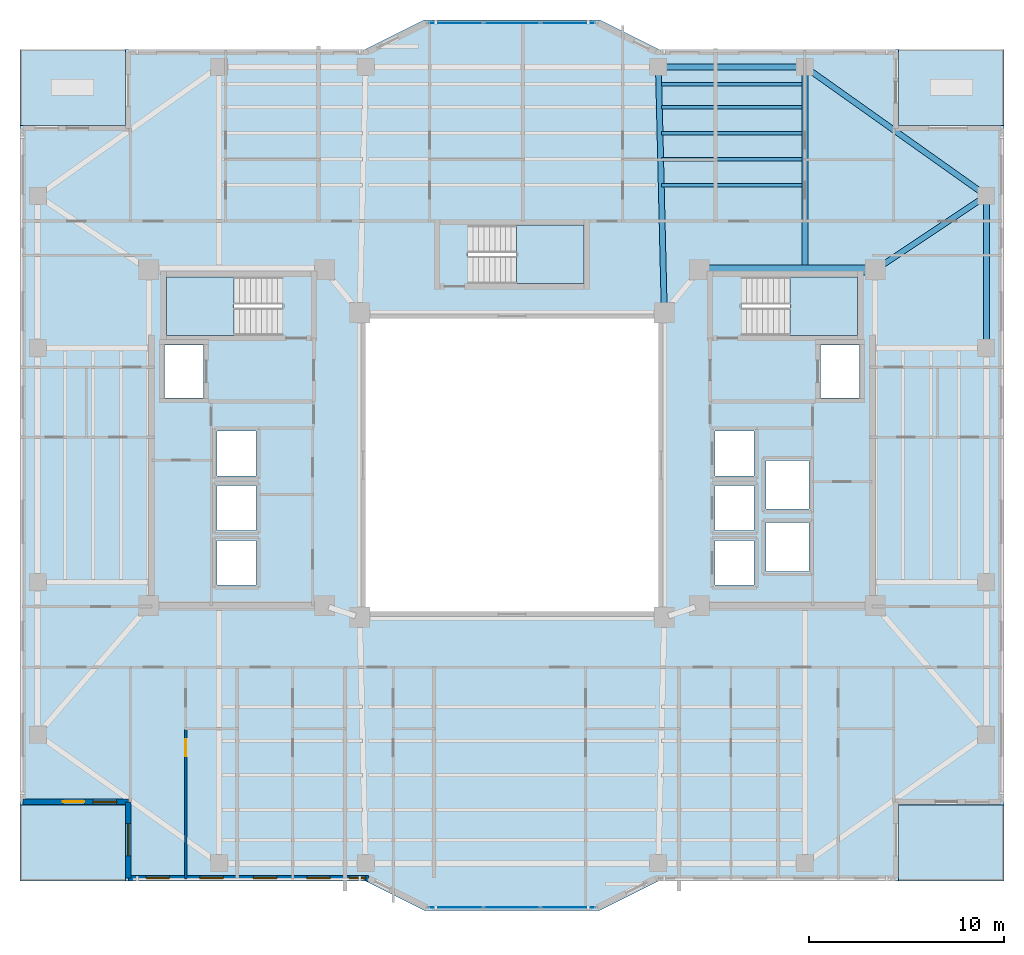
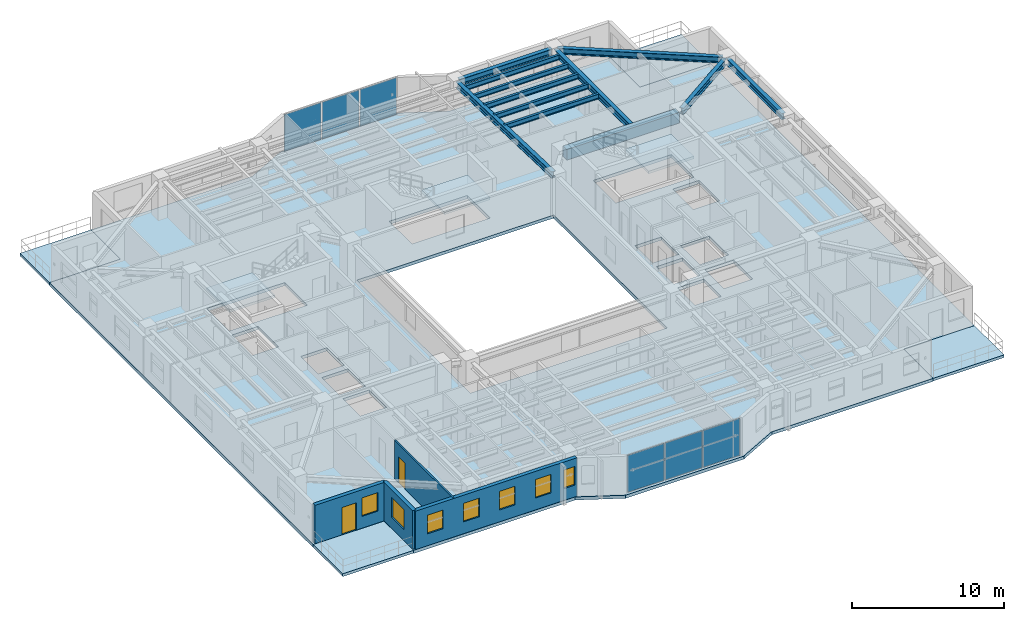
# One storey, part 5 of 17: 12 beams, 8 slabs, 7 windows, 6 plates, 4 walls, 2 doors, 9 openings, 5 elements without a shape of their own.
"""IFC4 building model written with IfcOpenShell, lengths in metres."""

from ifc_helpers import new_model, si_unit, direction, frame, frame_2d, origin, origin_2d, place, context, subcontext, project, spatial, polyline, rectangle, i_section, outline, extrude, material, layer, layer_set, material_profile, profile_set, type_object, element, fill, aggregate, save


model = new_model("IFC4")

# Units and contexts
model_context = context("Model", 3, precision=1e-05, world=origin(), true_north=direction((0.0, 1.0)))
body_context = subcontext(model_context, "Body", "Model", "MODEL_VIEW")
ifc_project = project(units=[si_unit("LENGTHUNIT", "METRE"), si_unit("AREAUNIT", "SQUARE_METRE"), si_unit("VOLUMEUNIT", "CUBIC_METRE"), si_unit("PLANEANGLEUNIT", "RADIAN"), si_unit("MASSUNIT", "GRAM", prefix="KILO")], contexts=[model_context])

# Site, building, storey
site_placement = place(None, origin())
site = spatial("IfcSite", under=ifc_project, at=site_placement, CompositionType="ELEMENT")
building_placement = place(site_placement, origin())
building = spatial("IfcBuilding", under=site, at=building_placement, Name="Tarnavaz Court Tower", CompositionType="ELEMENT")
storey_placement = place(building_placement, frame((0.0, 0.0, 132.60009765625)))
storey = spatial("IfcBuildingStorey", under=building, at=storey_placement, Name="L35", CompositionType="ELEMENT", Elevation=132.60009765625)

# Beams
ifc_material_1 = material(Name="Concrete C50/60", Category="concrete")
ifc_material_profile_1 = material_profile(ifc_material_1, rectangle(XDim=0.5, YDim=0.85009765625, at=origin_2d()), Name="RC 500X850")
ifc_profile_set_1 = profile_set([ifc_material_profile_1], Name="Concrete C50/60")
beam_type_1 = type_object("IfcBeamType", Name="BM-CB850", PredefinedType="LINTEL", material=ifc_profile_set_1)
beam_1_placement = place(storey_placement, frame((18.3798828125, 10.0, 2.6748046875), z_axis=(-1.0, 0.0, 0.0), x_axis=(0.0, -1.0, 0.0)))
element("IfcBeam", 1, at=beam_1_placement, inside=storey, type_object=beam_type_1, Name="L35 Beam IN-CE-NO-CE-NI", PredefinedType="LINTEL", context=body_context, shape_type="SweptSolid", body=[
    extrude(rectangle(XDim=0.5, YDim=0.85009765625, at=origin_2d()), origin(), (0.0, 0.0, 1.0), 8.559814453125),
])
ifc_material_2 = material(Name="Steel S355", Category="steel")
ifc_material_profile_2 = material_profile(ifc_material_2, i_section(OverallWidth=0.300048828125, OverallDepth=0.5, WebThickness=0.014404296875, FlangeThickness=0.028076171875, FilletRadius=0.027099609375, at=origin_2d()), Name="HEB 500")
ifc_profile_set_2 = profile_set([ifc_material_profile_2], Name="Steel S355")
beam_type_2 = type_object("IfcBeamType", Name="BM-G-HEB500", PredefinedType="USERDEFINED", material=ifc_profile_set_2)
beam_2_placement = place(storey_placement, frame((7.794921875, 8.02001953125, 2.849853515625), z_axis=(-0.023824748444, 0.999716150395, 0.0), x_axis=(-0.999716150395, -0.023824748444, 0.0)))
element("IfcBeam", 2, at=beam_2_placement, inside=storey, type_object=beam_type_2, Name="L35 Beam RG-03", ObjectType="GIRDER", PredefinedType="USERDEFINED", context=body_context, shape_type="SweptSolid", body=[
    extrude(i_section(OverallWidth=0.300048828125, OverallDepth=0.5, WebThickness=0.014404296875, FlangeThickness=0.028076171875, FilletRadius=0.027099609375, at=origin_2d()), origin(), (0.0, 0.0, 1.0), 12.16357421875),
])
beam_3_placement = place(storey_placement, frame((15.0, 10.0400390625, 2.849853515625), z_axis=(0.0, 1.0, 0.0), x_axis=(-1.0, 0.0, 0.0)))
element("IfcBeam", 3, at=beam_3_placement, inside=storey, type_object=beam_type_2, Name="L35 Beam RG-04", ObjectType="GIRDER", PredefinedType="USERDEFINED", context=body_context, shape_type="SweptSolid", body=[
    extrude(i_section(OverallWidth=0.300048828125, OverallDepth=0.5, WebThickness=0.014404296875, FlangeThickness=0.028076171875, FilletRadius=0.027099609375, at=origin_2d()), origin(), (0.0, 0.0, 1.0), 10.139892578125),
])
beam_4_placement = place(storey_placement, frame((18.783203125, 10.1220703125, 2.849853515625), z_axis=(0.832044435051, 0.554708985056, 0.0), x_axis=(-0.554708985056, 0.832044435051, 0.0)))
element("IfcBeam", 4, at=beam_4_placement, inside=storey, type_object=beam_type_2, Name="L35 Beam RG-12", ObjectType="GIRDER", PredefinedType="USERDEFINED", context=body_context, shape_type="SweptSolid", body=[
    extrude(i_section(OverallWidth=0.300048828125, OverallDepth=0.5, WebThickness=0.014404296875, FlangeThickness=0.028076171875, FilletRadius=0.027099609375, at=origin_2d()), origin(), (0.0, 0.0, 1.0), 6.410400390625),
])
ifc_material_profile_3 = material_profile(ifc_material_2, i_section(OverallWidth=0.179931640625, OverallDepth=0.39990234375, WebThickness=0.008544921875, FlangeThickness=0.013427734375, FilletRadius=0.02099609375, at=origin_2d()), Name="IPE 400")
ifc_profile_set_3 = profile_set([ifc_material_profile_3], Name="Steel S355")
beam_type_3 = type_object("IfcBeamType", Name="BM-J-IPE400", PredefinedType="JOIST", material=ifc_profile_set_3)
for number, where, z_axis, x_axis, name in (
    (5, (7.64990234375, 14.33203125, 2.89990234375), (1.0, 0.0, 0.0), (0.0, 1.0, 0.0), "L35 Beam JN1-3"),
    (6, (7.64990234375, 15.6640625, 2.89990234375), (1.0, 0.0, 0.0), (0.0, 1.0, 0.0), "L35 Beam JN2-3"),
    (7, (7.64990234375, 16.99609375, 2.89990234375), (1.0, 0.0, 0.0), (0.0, 1.0, 0.0), "L35 Beam JN3-3"),
    (8, (7.64990234375, 18.327880859375, 2.89990234375), (1.0, 0.0, 0.0), (0.0, 1.0, 0.0), "L35 Beam JN4-3"),
    (9, (7.64990234375, 19.511962890625, 2.89990234375), (1.0, 0.0, 0.0), (0.0, 1.0, 0.0), "L35 Beam JN5-3"),
):
    element("IfcBeam", number, at=place(storey_placement, frame(where, z_axis=z_axis, x_axis=x_axis)), inside=storey, type_object=beam_type_3, Name=name, PredefinedType="JOIST", context=body_context, shape_type="SweptSolid", body=[
        extrude(i_section(OverallWidth=0.179931640625, OverallDepth=0.39990234375, WebThickness=0.008544921875, FlangeThickness=0.013427734375, FilletRadius=0.02099609375, at=origin_2d()), origin(), (0.0, 0.0, 1.0), 7.2001953125),
    ])
ifc_material_profile_4 = material_profile(ifc_material_2, i_section(OverallWidth=0.300048828125, OverallDepth=0.489990234375, WebThickness=0.011962890625, FlangeThickness=0.02294921875, FilletRadius=0.027099609375, at=origin_2d()), Name="HEA 500")
ifc_profile_set_4 = profile_set([ifc_material_profile_4], Name="Steel S355")
beam_type_4 = type_object("IfcBeamType", Name="BM-SP-HEA500", PredefinedType="SPANDREL", material=ifc_profile_set_4)
beam_5_placement = place(storey_placement, frame((7.719970703125, 20.39990234375, 2.85498046875), z_axis=(1.0, 0.0, 0.0), x_axis=(0.0, 1.0, 0.0)))
element("IfcBeam", 10, at=beam_5_placement, inside=storey, type_object=beam_type_4, Name="L35 Beam PR-PN-3-PN-4", PredefinedType="SPANDREL", context=body_context, shape_type="SweptSolid", body=[
    extrude(i_section(OverallWidth=0.300048828125, OverallDepth=0.489990234375, WebThickness=0.011962890625, FlangeThickness=0.02294921875, FilletRadius=0.027099609375, at=origin_2d()), origin(), (0.0, 0.0, 1.0), 7.06005859375),
])
beam_6_placement = place(storey_placement, frame((24.300048828125, 6.219970703125, 2.85498046875), z_axis=(0.0, 1.0, 0.0), x_axis=(-1.0, 0.0, 0.0)))
element("IfcBeam", 11, at=beam_6_placement, inside=storey, type_object=beam_type_4, Name="L35 Beam PR-PE-3-PE-4", PredefinedType="SPANDREL", context=body_context, shape_type="SweptSolid", body=[
    extrude(i_section(OverallWidth=0.300048828125, OverallDepth=0.489990234375, WebThickness=0.011962890625, FlangeThickness=0.02294921875, FilletRadius=0.027099609375, at=origin_2d()), origin(), (0.0, 0.0, 1.0), 7.360107421875),
])
beam_7_placement = place(storey_placement, frame((15.179443359375, 20.272705078125, 2.85498046875), z_axis=(0.815502059396, -0.57875417158, 0.0), x_axis=(0.57875417158, 0.815502059396, 0.0)))
element("IfcBeam", 12, at=beam_7_placement, inside=storey, type_object=beam_type_4, Name="L35 Beam PR-PN-4-PE-4", PredefinedType="SPANDREL", context=body_context, shape_type="SweptSolid", body=[
    extrude(i_section(OverallWidth=0.300048828125, OverallDepth=0.489990234375, WebThickness=0.011962890625, FlangeThickness=0.02294921875, FilletRadius=0.027099609375, at=origin_2d()), origin(), (0.0, 0.0, 1.0), 10.964111328125),
])

# Curtain wall, plates
ifc_material_3 = material(Name="Anodised Aluminium 6063-T6 and Solar Low-E Glazing", Category="aluminium")
ifc_layer_1 = layer(ifc_material_3, 0.159912109375)
ifc_layer_set_1 = layer_set([ifc_layer_1], Name="Anodised Aluminium 6063-T6 and Solar Low-E Glazing")
curtain_wall_type = type_object("IfcCurtainWallType", Name="CW-SYS-03", PredefinedType="NOTDEFINED", material=ifc_layer_set_1)
curtain_wall_1_placement = place(storey_placement, origin())
curtain_wall_1 = element("IfcCurtainWall", 13, at=curtain_wall_1_placement, inside=storey, type_object=curtain_wall_type, Name="L35 Iwan Prow Curtain Wall 7", PredefinedType="NOTDEFINED")
ifc_material_4 = material(Name="Double-Glazed Solar Low-E Glass", Category="glass")
ifc_layer_2 = layer(ifc_material_4, 0.028076171875)
ifc_layer_set_2 = layer_set([ifc_layer_2], Name="Double-Glazed Solar Low-E Glass")
plate_type = type_object("IfcPlateType", Name="CW-PAN-GLZ28", PredefinedType="CURTAIN_PANEL", material=ifc_layer_set_2)
plate_1_placement = place(storey_placement, frame((-2.88134765625, 22.64990234375, 0.06494140625), z_axis=(0.0, 0.0, 1.0), x_axis=(1.0, 0.0, 0.0)))
plate_1 = element("IfcPlate", 14, at=plate_1_placement, type_object=plate_type, Name="CW panel 1.1", PredefinedType="CURTAIN_PANEL", context=body_context, shape_type="SweptSolid", body=[
    extrude(rectangle(XDim=2.78759765625, YDim=0.028076171875, at=origin_2d()), origin(), (0.0, 0.0, 1.0), 2.969970703125),
])
plate_2_placement = place(storey_placement, frame((0.0, 22.64990234375, 0.06494140625), z_axis=(0.0, 0.0, 1.0), x_axis=(1.0, 0.0, 0.0)))
plate_2 = element("IfcPlate", 15, at=plate_2_placement, type_object=plate_type, Name="CW panel 2.1", PredefinedType="CURTAIN_PANEL", context=body_context, shape_type="SweptSolid", body=[
    extrude(rectangle(XDim=2.824951171875, YDim=0.028076171875, at=origin_2d()), origin(), (0.0, 0.0, 1.0), 2.969970703125),
])
plate_3_placement = place(storey_placement, frame((2.88134765625, 22.64990234375, 0.06494140625), z_axis=(0.0, 0.0, 1.0), x_axis=(1.0, 0.0, 0.0)))
plate_3 = element("IfcPlate", 16, at=plate_3_placement, type_object=plate_type, Name="CW panel 3.1", PredefinedType="CURTAIN_PANEL", context=body_context, shape_type="SweptSolid", body=[
    extrude(rectangle(XDim=2.78759765625, YDim=0.028076171875, at=origin_2d()), origin(), (0.0, 0.0, 1.0), 2.969970703125),
])
aggregate(curtain_wall_1, [plate_1, plate_2, plate_3])

curtain_wall_2_placement = place(storey_placement, origin())
curtain_wall_2 = element("IfcCurtainWall", 17, at=curtain_wall_2_placement, inside=storey, type_object=curtain_wall_type, Name="L35 Iwan Prow Curtain Wall 17", PredefinedType="NOTDEFINED")
plate_4_placement = place(storey_placement, frame((2.88134765625, -22.64990234375, 0.06494140625), z_axis=(0.0, 0.0, 1.0), x_axis=(-1.0, 0.0, 0.0)))
plate_4 = element("IfcPlate", 18, at=plate_4_placement, type_object=plate_type, Name="CW panel 1.1", PredefinedType="CURTAIN_PANEL", context=body_context, shape_type="SweptSolid", body=[
    extrude(rectangle(XDim=2.78759765625, YDim=0.028076171875, at=origin_2d()), origin(), (0.0, 0.0, 1.0), 2.969970703125),
])
plate_5_placement = place(storey_placement, frame((0.0, -22.64990234375, 0.06494140625), z_axis=(0.0, 0.0, 1.0), x_axis=(-1.0, 0.0, 0.0)))
plate_5 = element("IfcPlate", 19, at=plate_5_placement, type_object=plate_type, Name="CW panel 2.1", PredefinedType="CURTAIN_PANEL", context=body_context, shape_type="SweptSolid", body=[
    extrude(rectangle(XDim=2.824951171875, YDim=0.028076171875, at=origin_2d()), origin(), (0.0, 0.0, 1.0), 2.969970703125),
])
plate_6_placement = place(storey_placement, frame((-2.88134765625, -22.64990234375, 0.06494140625), z_axis=(0.0, 0.0, 1.0), x_axis=(-1.0, 0.0, 0.0)))
plate_6 = element("IfcPlate", 20, at=plate_6_placement, type_object=plate_type, Name="CW panel 3.1", PredefinedType="CURTAIN_PANEL", context=body_context, shape_type="SweptSolid", body=[
    extrude(rectangle(XDim=2.78759765625, YDim=0.028076171875, at=origin_2d()), origin(), (0.0, 0.0, 1.0), 2.969970703125),
])
aggregate(curtain_wall_2, [plate_4, plate_5, plate_6])

# Stair, slab
ifc_material_5 = material(Name="Concrete C40/50", Category="concrete")
stair_type = type_object("IfcStairType", Name="ST-TWR-20R", PredefinedType="HALF_TURN_STAIR", material=ifc_material_5)
stair_1_placement = place(storey_placement, origin())
stair_1 = element("IfcStair", 21, at=stair_1_placement, inside=storey, type_object=stair_type, Name="L35 West Core Pressurized Exit Stair ST-W1", PredefinedType="HALF_TURN_STAIR")
ifc_layer_3 = layer(ifc_material_5, 0.199951171875)
ifc_layer_set_3 = layer_set([ifc_layer_3], Name="Concrete C40/50")
slab_type_1 = type_object("IfcSlabType", Name="SL-LAND-200", PredefinedType="LANDING", material=ifc_layer_set_3)
slab_1_placement = place(storey_placement, frame((0.0, 0.0, 1.474853515625)))
slab_1 = element("IfcSlab", 22, at=slab_1_placement, type_object=slab_type_1, Name="ST-W1 landing 1", PredefinedType="LANDING", context=body_context, shape_type="SweptSolid", body=[
    extrude(outline(polyline([(-14.239990234375, 9.639892578125), (-17.699951171875, 9.639892578125), (-17.699951171875, 6.64990234375), (-14.239990234375, 6.64990234375), (-14.239990234375, 9.639892578125)])), origin(), (0.0, 0.0, 1.0), 0.199951171875),
])
aggregate(stair_1, [slab_1])

stair_2_placement = place(storey_placement, origin())
stair_2 = element("IfcStair", 23, at=stair_2_placement, inside=storey, type_object=stair_type, Name="L35 East Core Pressurized Exit Stair ST-E1", PredefinedType="HALF_TURN_STAIR")
slab_2_placement = place(storey_placement, frame((0.0, 0.0, 1.474853515625)))
slab_2 = element("IfcSlab", 24, at=slab_2_placement, type_object=slab_type_1, Name="ST-E1 landing 1", PredefinedType="LANDING", context=body_context, shape_type="SweptSolid", body=[
    extrude(outline(polyline([(14.239990234375, 6.64990234375), (17.699951171875, 6.64990234375), (17.699951171875, 9.639892578125), (14.239990234375, 9.639892578125), (14.239990234375, 6.64990234375)])), origin(), (0.0, 0.0, 1.0), 0.199951171875),
])
aggregate(stair_2, [slab_2])

stair_3_placement = place(storey_placement, origin())
stair_3 = element("IfcStair", 25, at=stair_3_placement, inside=storey, type_object=stair_type, Name="L35 North Ring Pressurized Exit Stair ST-N1", PredefinedType="HALF_TURN_STAIR")
slab_3_placement = place(storey_placement, frame((0.0, 0.0, 1.474853515625)))
slab_3 = element("IfcSlab", 26, at=slab_3_placement, type_object=slab_type_1, Name="ST-N1 landing 1", PredefinedType="LANDING", context=body_context, shape_type="SweptSolid", body=[
    extrude(outline(polyline([(0.239990234375, 9.300048828125), (3.699951171875, 9.300048828125), (3.699951171875, 12.2900390625), (0.239990234375, 12.2900390625), (0.239990234375, 9.300048828125)])), origin(), (0.0, 0.0, 1.0), 0.199951171875),
])
aggregate(stair_3, [slab_3])

# Slabs
ifc_layer_4 = layer(ifc_material_5, 0.25)
ifc_layer_set_4 = layer_set([ifc_layer_4], Name="Concrete C40/50")
slab_type_2 = type_object("IfcSlabType", Name="SL-RES-250", PredefinedType="FLOOR", material=ifc_layer_set_4)
slab_4_placement = place(storey_placement, frame((0.0, 0.0, -0.25)))
element("IfcSlab", 27, at=slab_4_placement, inside=storey, type_object=slab_type_2, Name="L35 Structural Floor Slab", PredefinedType="FLOOR", context=body_context, shape_type="SweptSolid", body=[
    extrude(outline(polyline([(-19.800048828125, -21.300048828125), (-7.5, -21.300048828125), (-4.5, -22.800048828125), (4.5, -22.800048828125), (7.5, -21.300048828125), (19.800048828125, -21.300048828125), (19.800048828125, -17.39990234375), (25.199951171875, -17.39990234375), (25.199951171875, 17.39990234375), (19.800048828125, 17.39990234375), (19.800048828125, 21.300048828125), (7.5, 21.300048828125), (4.5, 22.800048828125), (-4.5, 22.800048828125), (-7.5, 21.300048828125), (-19.800048828125, 21.300048828125), (-19.800048828125, 17.39990234375), (-25.199951171875, 17.39990234375), (-25.199951171875, -17.39990234375), (-19.800048828125, -17.39990234375), (-19.800048828125, -21.300048828125)]), holes=[polyline([(-7.5, -7.5), (7.5, -7.5), (7.5, 7.5), (-7.5, 7.5), (-7.5, -7.5)]), polyline([(-11.7451171875, 9.639892578125), (-17.699951171875, 9.639892578125), (-17.699951171875, 6.64990234375), (-11.7451171875, 6.64990234375), (-11.7451171875, 9.639892578125)]), polyline([(11.7451171875, 6.64990234375), (17.699951171875, 6.64990234375), (17.699951171875, 9.639892578125), (11.7451171875, 9.639892578125), (11.7451171875, 6.64990234375)]), polyline([(-2.2548828125, 9.300048828125), (3.699951171875, 9.300048828125), (3.699951171875, 12.2900390625), (-2.2548828125, 12.2900390625), (-2.2548828125, 9.300048828125)]), polyline([(-17.800048828125, 3.449951171875), (-15.800048828125, 3.449951171875), (-15.800048828125, 6.14990234375), (-17.800048828125, 6.14990234375), (-17.800048828125, 3.449951171875)]), polyline([(-15.10009765625, -6.14990234375), (-13.10009765625, -6.14990234375), (-13.10009765625, -3.85009765625), (-15.10009765625, -3.85009765625), (-15.10009765625, -6.14990234375)]), polyline([(-15.10009765625, -3.35009765625), (-13.10009765625, -3.35009765625), (-13.10009765625, -1.050048828125), (-15.10009765625, -1.050048828125), (-15.10009765625, -3.35009765625)]), polyline([(-15.10009765625, -0.550048828125), (-13.10009765625, -0.550048828125), (-13.10009765625, 1.75), (-15.10009765625, 1.75), (-15.10009765625, -0.550048828125)]), polyline([(15.800048828125, 3.449951171875), (17.800048828125, 3.449951171875), (17.800048828125, 6.14990234375), (15.800048828125, 6.14990234375), (15.800048828125, 3.449951171875)]), polyline([(10.39990234375, -6.14990234375), (12.39990234375, -6.14990234375), (12.39990234375, -3.85009765625), (10.39990234375, -3.85009765625), (10.39990234375, -6.14990234375)]), polyline([(10.39990234375, -3.35009765625), (12.39990234375, -3.35009765625), (12.39990234375, -1.050048828125), (10.39990234375, -1.050048828125), (10.39990234375, -3.35009765625)]), polyline([(10.39990234375, -0.550048828125), (12.39990234375, -0.550048828125), (12.39990234375, 1.75), (10.39990234375, 1.75), (10.39990234375, -0.550048828125)]), polyline([(13.0, -5.449951171875), (15.199951171875, -5.449951171875), (15.199951171875, -2.949951171875), (13.0, -2.949951171875), (13.0, -5.449951171875)]), polyline([(13.0, -2.25), (15.199951171875, -2.25), (15.199951171875, 0.25), (13.0, 0.25), (13.0, -2.25)])]), origin(), (0.0, 0.0, 1.0), 0.25),
])
ifc_layer_5 = layer(ifc_material_5, 0.219970703125)
ifc_layer_set_5 = layer_set([ifc_layer_5], Name="Concrete C40/50")
slab_type_3 = type_object("IfcSlabType", Name="SL-TERR-220", PredefinedType="FLOOR", material=ifc_layer_set_5)
slab_5_placement = place(storey_placement, frame((0.0, 0.0, -0.22021484375)))
element("IfcSlab", 28, at=slab_5_placement, inside=storey, type_object=slab_type_3, Name="L35 NE Planted Sky Terrace", PredefinedType="FLOOR", context=body_context, shape_type="SweptSolid", body=[
    extrude(outline(polyline([(19.800048828125, 17.39990234375), (25.199951171875, 17.39990234375), (25.199951171875, 21.300048828125), (19.800048828125, 21.300048828125), (19.800048828125, 17.39990234375)])), origin(), (0.0, 0.0, 1.0), 0.22021484375),
])
slab_6_placement = place(storey_placement, frame((0.0, 0.0, -0.22021484375)))
element("IfcSlab", 29, at=slab_6_placement, inside=storey, type_object=slab_type_3, Name="L35 NW Planted Sky Terrace", PredefinedType="FLOOR", context=body_context, shape_type="SweptSolid", body=[
    extrude(outline(polyline([(-25.199951171875, 17.39990234375), (-19.800048828125, 17.39990234375), (-19.800048828125, 21.300048828125), (-25.199951171875, 21.300048828125), (-25.199951171875, 17.39990234375)])), origin(), (0.0, 0.0, 1.0), 0.22021484375),
])
slab_7_placement = place(storey_placement, frame((0.0, 0.0, -0.22021484375)))
element("IfcSlab", 30, at=slab_7_placement, inside=storey, type_object=slab_type_3, Name="L35 SE Planted Sky Terrace", PredefinedType="FLOOR", context=body_context, shape_type="SweptSolid", body=[
    extrude(outline(polyline([(19.800048828125, -21.300048828125), (25.199951171875, -21.300048828125), (25.199951171875, -17.39990234375), (19.800048828125, -17.39990234375), (19.800048828125, -21.300048828125)])), origin(), (0.0, 0.0, 1.0), 0.22021484375),
])
slab_8_placement = place(storey_placement, frame((0.0, 0.0, -0.22021484375)))
element("IfcSlab", 31, at=slab_8_placement, inside=storey, type_object=slab_type_3, Name="L35 SW Planted Sky Terrace", PredefinedType="FLOOR", context=body_context, shape_type="SweptSolid", body=[
    extrude(outline(polyline([(-25.199951171875, -21.300048828125), (-19.800048828125, -21.300048828125), (-19.800048828125, -17.39990234375), (-25.199951171875, -17.39990234375), (-25.199951171875, -21.300048828125)])), origin(), (0.0, 0.0, 1.0), 0.22021484375),
])

# Wall, openings, door, window
ifc_material_6 = material(Name="Precast Concrete C40/50", Category="concrete")
ifc_layer_6 = layer(ifc_material_6, 0.280029296875)
ifc_layer_set_6 = layer_set([ifc_layer_6], Name="Precast Concrete C40/50")
wall_type_1 = type_object("IfcWallType", Name="WL-EXT-280", PredefinedType="SOLIDWALL", material=ifc_layer_set_6)
wall_1_placement = place(storey_placement, frame((-19.64990234375, -17.25, 0.0), z_axis=(0.0, 0.0, 1.0), x_axis=(-1.0, 0.0, 0.0)))
wall_1 = element("IfcWall", 32, at=wall_1_placement, inside=storey, type_object=wall_type_1, Name="L35 Exterior Terracotta Facade Wall 01", PredefinedType="SOLIDWALL", context=body_context, shape_type="SweptSolid", body=[
    extrude(rectangle(XDim=5.400146484375, YDim=0.280029296875, at=frame_2d((2.7001953125, 0.0))), origin(), (0.0, 0.0, 1.0), 3.099853515625),
])
opening_1_placement = place(wall_1_placement, frame((2.25, 0.0, 0.0)))
opening_1 = element("IfcOpeningElement", 33, at=opening_1_placement, cuts=wall_1, Name="Opening TD1", PredefinedType="OPENING", context=body_context, shape_type="SweptSolid", body=[
    extrude(rectangle(XDim=1.10009765625, YDim=2.199951171875, at=frame_2d((0.550048828125, 1.10009765625))), frame((0.0, 0.14990234375, 0.0), z_axis=(0.0, -1.0, 0.0), x_axis=(1.0, 0.0, 0.0)), (0.0, 0.0, 1.0), 0.300048828125),
])
opening_2_placement = place(wall_1_placement, frame((0.60498046875, 0.0, 0.949951171875)))
opening_2 = element("IfcOpeningElement", 34, at=opening_2_placement, cuts=wall_1, Name="Opening W05", PredefinedType="OPENING", context=body_context, shape_type="SweptSolid", body=[
    extrude(rectangle(XDim=1.199951171875, YDim=1.5, at=frame_2d((0.60009765625, 0.75))), frame((0.0, 0.14990234375, 0.0), z_axis=(0.0, -1.0, 0.0), x_axis=(1.0, 0.0, 0.0)), (0.0, 0.0, 1.0), 0.300048828125),
])
ifc_material_7 = material(Name="Thermally Broken Aluminium and Laminated Glass", Category="aluminium")
door_type_1 = type_object("IfcDoorType", Name="DR-TERR-1100", OperationType="NOTDEFINED", PredefinedType="DOOR", material=ifc_material_7)
door_1_placement = place(opening_1_placement, origin())
door_1 = element("IfcDoor", 35, at=door_1_placement, inside=storey, type_object=door_type_1, Name="L35 Sky Terrace Access Door 4", OperationType="SINGLE_SWING_RIGHT", OverallHeight=2.199951171875, OverallWidth=1.10009765625, PredefinedType="DOOR", context=body_context, shape_type="SweptSolid", body=[
    extrude(rectangle(XDim=1.10009765625, YDim=2.199951171875, at=frame_2d((0.550048828125, 1.10009765625))), frame((0.0, 0.02490234375, 0.0), z_axis=(0.0, -1.0, 0.0), x_axis=(1.0, 0.0, 0.0)), (0.0, 0.0, 1.0), 0.050048828125),
])
fill(opening_1, door_1)
window_type_1 = type_object("IfcWindowType", Name="WN-APT-1200", PartitioningType="SINGLE_PANEL", PredefinedType="WINDOW", material=ifc_material_4)
window_1_placement = place(opening_2_placement, origin())
window_1 = element("IfcWindow", 36, at=window_1_placement, inside=storey, type_object=window_type_1, Name="L35 South-West Corner Reading Room Window", OverallHeight=1.5, OverallWidth=1.199951171875, PartitioningType="SINGLE_PANEL", PredefinedType="WINDOW", context=body_context, shape_type="SweptSolid", body=[
    extrude(rectangle(XDim=1.199951171875, YDim=1.5, at=frame_2d((0.60009765625, 0.75))), frame((0.0, 0.030029296875, 0.0), z_axis=(0.0, -1.0, 0.0), x_axis=(1.0, 0.0, 0.0)), (0.0, 0.0, 1.0), 0.06005859375),
])
fill(opening_2, window_1)

# Wall, openings, windows
wall_2_placement = place(storey_placement, frame((-7.35009765625, -21.14990234375, 0.0), z_axis=(0.0, 0.0, 1.0), x_axis=(-1.0, 0.0, 0.0)))
wall_2 = element("IfcWall", 37, at=wall_2_placement, inside=storey, type_object=wall_type_1, Name="L35 Exterior Terracotta Facade Wall 19", PredefinedType="SOLIDWALL", context=body_context, shape_type="SweptSolid", body=[
    extrude(rectangle(XDim=12.2998046875, YDim=0.280029296875, at=frame_2d((6.14990234375, 0.0))), origin(), (0.0, 0.0, 1.0), 3.099853515625),
])
opening_3_placement = place(wall_2_placement, frame((0.147216796875, 0.0, 0.949951171875)))
opening_3 = element("IfcOpeningElement", 38, at=opening_3_placement, cuts=wall_2, Name="Opening W15", PredefinedType="OPENING", context=body_context, shape_type="SweptSolid", body=[
    extrude(rectangle(XDim=0.85009765625, YDim=1.5, at=frame_2d((0.425048828125, 0.75))), frame((0.0, 0.14990234375, 0.0), z_axis=(0.0, -1.0, 0.0), x_axis=(1.0, 0.0, 0.0)), (0.0, 0.0, 1.0), 0.300048828125),
])
opening_4_placement = place(wall_2_placement, frame((1.96044921875, 0.0, 0.949951171875)))
opening_4 = element("IfcOpeningElement", 39, at=opening_4_placement, cuts=wall_2, Name="Opening W05", PredefinedType="OPENING", context=body_context, shape_type="SweptSolid", body=[
    extrude(rectangle(XDim=1.199951171875, YDim=1.5, at=frame_2d((0.60009765625, 0.75))), frame((0.0, 0.14990234375, 0.0), z_axis=(0.0, -1.0, 0.0), x_axis=(1.0, 0.0, 0.0)), (0.0, 0.0, 1.0), 0.300048828125),
])
opening_5_placement = place(wall_2_placement, frame((4.696533203125, 0.0, 0.949951171875)))
opening_5 = element("IfcOpeningElement", 40, at=opening_5_placement, cuts=wall_2, Name="Opening W05", PredefinedType="OPENING", context=body_context, shape_type="SweptSolid", body=[
    extrude(rectangle(XDim=1.199951171875, YDim=1.5, at=frame_2d((0.60009765625, 0.75))), frame((0.0, 0.14990234375, 0.0), z_axis=(0.0, -1.0, 0.0), x_axis=(1.0, 0.0, 0.0)), (0.0, 0.0, 1.0), 0.300048828125),
])
opening_6_placement = place(wall_2_placement, frame((7.4326171875, 0.0, 0.949951171875)))
opening_6 = element("IfcOpeningElement", 41, at=opening_6_placement, cuts=wall_2, Name="Opening W05", PredefinedType="OPENING", context=body_context, shape_type="SweptSolid", body=[
    extrude(rectangle(XDim=1.199951171875, YDim=1.5, at=frame_2d((0.60009765625, 0.75))), frame((0.0, 0.14990234375, 0.0), z_axis=(0.0, -1.0, 0.0), x_axis=(1.0, 0.0, 0.0)), (0.0, 0.0, 1.0), 0.300048828125),
])
opening_7_placement = place(wall_2_placement, frame((10.19384765625, 0.0, 0.949951171875)))
opening_7 = element("IfcOpeningElement", 42, at=opening_7_placement, cuts=wall_2, Name="Opening W05", PredefinedType="OPENING", context=body_context, shape_type="SweptSolid", body=[
    extrude(rectangle(XDim=1.199951171875, YDim=1.5, at=frame_2d((0.60009765625, 0.75))), frame((0.0, 0.14990234375, 0.0), z_axis=(0.0, -1.0, 0.0), x_axis=(1.0, 0.0, 0.0)), (0.0, 0.0, 1.0), 0.300048828125),
])
window_2_placement = place(opening_4_placement, origin())
window_2 = element("IfcWindow", 43, at=window_2_placement, inside=storey, type_object=window_type_1, Name="L35 Flat 06 Kitchen Window", OverallHeight=1.5, OverallWidth=1.199951171875, PartitioningType="SINGLE_PANEL", PredefinedType="WINDOW", context=body_context, shape_type="SweptSolid", body=[
    extrude(rectangle(XDim=1.199951171875, YDim=1.5, at=frame_2d((0.60009765625, 0.75))), frame((0.0, 0.030029296875, 0.0), z_axis=(0.0, -1.0, 0.0), x_axis=(1.0, 0.0, 0.0)), (0.0, 0.0, 1.0), 0.06005859375),
])
fill(opening_4, window_2)
window_3_placement = place(opening_5_placement, origin())
window_3 = element("IfcWindow", 44, at=window_3_placement, inside=storey, type_object=window_type_1, Name="L35 Flat 06 Studio Living and Sleeping Room Window", OverallHeight=1.5, OverallWidth=1.199951171875, PartitioningType="SINGLE_PANEL", PredefinedType="WINDOW", context=body_context, shape_type="SweptSolid", body=[
    extrude(rectangle(XDim=1.199951171875, YDim=1.5, at=frame_2d((0.60009765625, 0.75))), frame((0.0, 0.030029296875, 0.0), z_axis=(0.0, -1.0, 0.0), x_axis=(1.0, 0.0, 0.0)), (0.0, 0.0, 1.0), 0.06005859375),
])
fill(opening_5, window_3)
window_4_placement = place(opening_6_placement, origin())
window_4 = element("IfcWindow", 45, at=window_4_placement, inside=storey, type_object=window_type_1, Name="L35 Flat 05 Kitchen Window", OverallHeight=1.5, OverallWidth=1.199951171875, PartitioningType="SINGLE_PANEL", PredefinedType="WINDOW", context=body_context, shape_type="SweptSolid", body=[
    extrude(rectangle(XDim=1.199951171875, YDim=1.5, at=frame_2d((0.60009765625, 0.75))), frame((0.0, 0.030029296875, 0.0), z_axis=(0.0, -1.0, 0.0), x_axis=(1.0, 0.0, 0.0)), (0.0, 0.0, 1.0), 0.06005859375),
])
fill(opening_6, window_4)
window_5_placement = place(opening_7_placement, origin())
window_5 = element("IfcWindow", 46, at=window_5_placement, inside=storey, type_object=window_type_1, Name="L35 Flat 05 Studio Living and Sleeping Room Window", OverallHeight=1.5, OverallWidth=1.199951171875, PartitioningType="SINGLE_PANEL", PredefinedType="WINDOW", context=body_context, shape_type="SweptSolid", body=[
    extrude(rectangle(XDim=1.199951171875, YDim=1.5, at=frame_2d((0.60009765625, 0.75))), frame((0.0, 0.030029296875, 0.0), z_axis=(0.0, -1.0, 0.0), x_axis=(1.0, 0.0, 0.0)), (0.0, 0.0, 1.0), 0.06005859375),
])
fill(opening_7, window_5)
window_type_2 = type_object("IfcWindowType", Name="WN-APT-850", PartitioningType="SINGLE_PANEL", PredefinedType="WINDOW", material=ifc_material_4)
window_6_placement = place(opening_3_placement, origin())
window_6 = element("IfcWindow", 47, at=window_6_placement, inside=storey, type_object=window_type_2, Name="L35 Flat 09 Studio Living and Sleeping Room Window", OverallHeight=1.5, OverallWidth=0.85009765625, PartitioningType="SINGLE_PANEL", PredefinedType="WINDOW", context=body_context, shape_type="SweptSolid", body=[
    extrude(rectangle(XDim=0.85009765625, YDim=1.5, at=frame_2d((0.425048828125, 0.75))), frame((0.0, 0.030029296875, 0.0), z_axis=(0.0, -1.0, 0.0), x_axis=(1.0, 0.0, 0.0)), (0.0, 0.0, 1.0), 0.06005859375),
])
fill(opening_3, window_6)

# Wall, opening, window
wall_3_placement = place(storey_placement, frame((-19.64990234375, -21.14990234375, 0.0), z_axis=(0.0, 0.0, 1.0), x_axis=(0.0, 1.0, 0.0)))
wall_3 = element("IfcWall", 48, at=wall_3_placement, inside=storey, type_object=wall_type_1, Name="L35 Exterior Terracotta Facade Wall 20", PredefinedType="SOLIDWALL", context=body_context, shape_type="SweptSolid", body=[
    extrude(rectangle(XDim=3.89990234375, YDim=0.280029296875, at=frame_2d((1.949951171875, 0.0))), origin(), (0.0, 0.0, 1.0), 3.099853515625),
])
opening_8_placement = place(wall_3_placement, frame((1.142822265625, 0.0, 0.89990234375)))
opening_8 = element("IfcOpeningElement", 49, at=opening_8_placement, cuts=wall_3, Name="Opening W02", PredefinedType="OPENING", context=body_context, shape_type="SweptSolid", body=[
    extrude(rectangle(XDim=1.64990234375, YDim=1.60009765625, at=frame_2d((0.824951171875, 0.800048828125))), frame((0.0, 0.14990234375, 0.0), z_axis=(0.0, -1.0, 0.0), x_axis=(1.0, 0.0, 0.0)), (0.0, 0.0, 1.0), 0.300048828125),
])
window_type_3 = type_object("IfcWindowType", Name="WN-APT-1650", PartitioningType="DOUBLE_PANEL_VERTICAL", PredefinedType="WINDOW", material=ifc_material_4)
window_7_placement = place(opening_8_placement, origin())
window_7 = element("IfcWindow", 50, at=window_7_placement, inside=storey, type_object=window_type_3, Name="L35 Flat 05 Studio Living and Sleeping Room Window", OverallHeight=1.60009765625, OverallWidth=1.64990234375, PartitioningType="SINGLE_PANEL", PredefinedType="WINDOW", context=body_context, shape_type="SweptSolid", body=[
    extrude(rectangle(XDim=1.64990234375, YDim=1.60009765625, at=frame_2d((0.824951171875, 0.800048828125))), frame((0.0, 0.030029296875, 0.0), z_axis=(0.0, -1.0, 0.0), x_axis=(1.0, 0.0, 0.0)), (0.0, 0.0, 1.0), 0.06005859375),
])
fill(opening_8, window_7)

# Wall, opening, door
ifc_material_8 = material(Name="Moisture-Resistant Gypsum Board Partition", Category="masonry")
ifc_layer_7 = layer(ifc_material_8, 0.1201171875)
ifc_layer_set_7 = layer_set([ifc_layer_7], Name="Moisture-Resistant Gypsum Board Partition")
wall_type_2 = type_object("IfcWallType", Name="WL-PART-120", PredefinedType="PARTITIONING", material=ifc_layer_set_7)
wall_4_placement = place(storey_placement, frame((-16.705078125, -21.199951171875, 0.0), z_axis=(0.0, 0.0, 1.0), x_axis=(0.0, 1.0, 0.0)))
wall_4 = element("IfcWall", 51, at=wall_4_placement, inside=storey, type_object=wall_type_2, Name="L35 Interior Partition 091", PredefinedType="PARTITIONING", context=body_context, shape_type="SweptSolid", body=[
    extrude(rectangle(XDim=7.68994140625, YDim=0.1201171875, at=frame_2d((3.844970703125, 0.0))), origin(), (0.0, 0.0, 1.0), 3.099853515625),
])
opening_9_placement = place(wall_4_placement, frame((6.2900390625, 0.0, 0.0)))
opening_9 = element("IfcOpeningElement", 52, at=opening_9_placement, cuts=wall_4, Name="Opening D14", PredefinedType="OPENING", context=body_context, shape_type="SweptSolid", body=[
    extrude(rectangle(XDim=0.8798828125, YDim=2.10009765625, at=frame_2d((0.43994140625, 1.050048828125))), frame((0.0, 0.070068359375, 0.0), z_axis=(0.0, -1.0, 0.0), x_axis=(1.0, 0.0, 0.0)), (0.0, 0.0, 1.0), 0.14013671875),
])
ifc_material_9 = material(Name="Engineered Oak Timber", Category="wood")
door_type_2 = type_object("IfcDoorType", Name="DR-INT-900", OperationType="NOTDEFINED", PredefinedType="DOOR", material=ifc_material_9)
door_2_placement = place(opening_9_placement, origin())
door_2 = element("IfcDoor", 53, at=door_2_placement, inside=storey, type_object=door_type_2, Name="L35 Flat 05 Kitchen Door", OperationType="SINGLE_SWING_RIGHT", OverallHeight=2.10009765625, OverallWidth=0.8798828125, PredefinedType="DOOR", context=body_context, shape_type="SweptSolid", body=[
    extrude(rectangle(XDim=0.8798828125, YDim=2.10009765625, at=frame_2d((0.43994140625, 1.050048828125))), frame((0.0, 0.02490234375, 0.0), z_axis=(0.0, -1.0, 0.0), x_axis=(1.0, 0.0, 0.0)), (0.0, 0.0, 1.0), 0.050048828125),
])
fill(opening_9, door_2)

save(model, "model.ifc")
